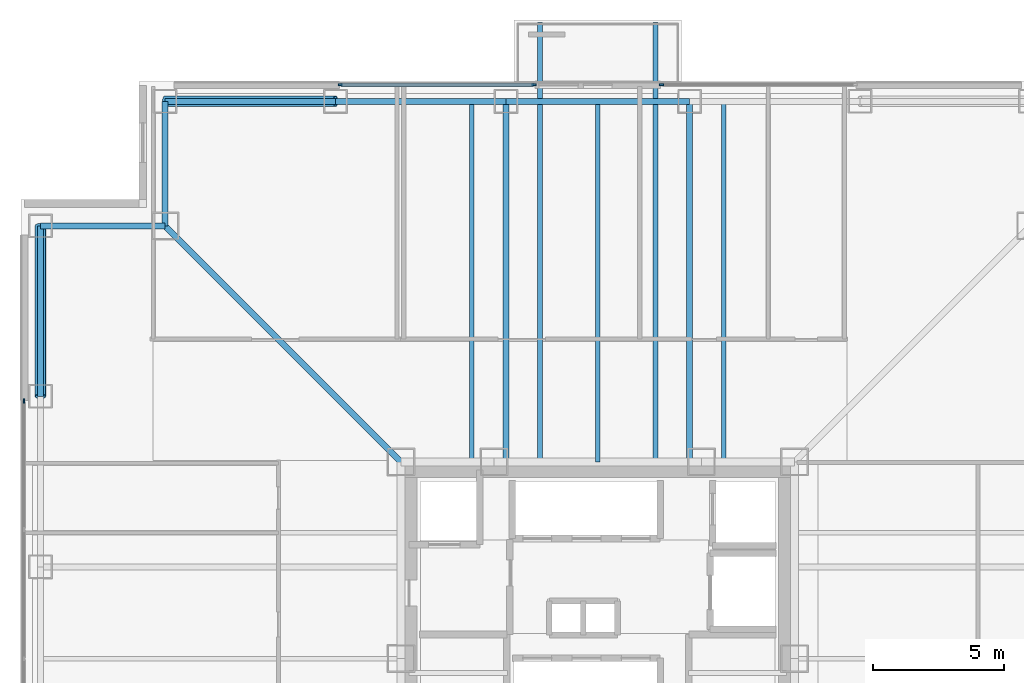
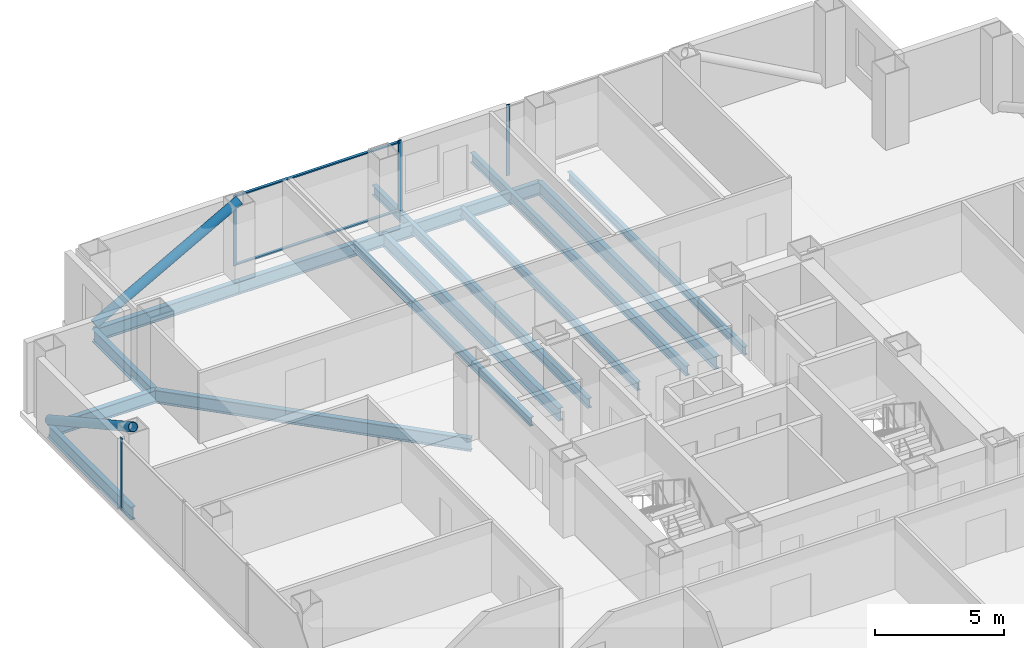
# One storey, part 7 of 14: 14 beams, 8 members, 3 elements without a shape of their own.
"""IFC4 building model written with IfcOpenShell, lengths in metres."""

import ifcopenshell
import ifcopenshell.guid

model = None  # the IFC model being written
_history = None  # IfcOwnerHistory: only IFC2X3 demands one
_inside = {}  # id of a spatial element -> (the spatial element, [elements in it])
_under = {}  # id of a project, library or spatial element -> (it, [spatial elements below it])
_declared = {}  # id of a project -> (the project, [libraries it declares])
_typed = {}  # id of a type object -> (the type object, [elements of that type])
_made_of = {}  # id of a material, layer set ... -> (it, [elements and type objects made of it])


def new_model(schema):
    """Start an empty IFC model of exactly this schema.

    Asked for "IFC4X3", IfcOpenShell would pick the latest addendum, in which some entities
    have other attributes; the version numbers below select the first issue.
    IFC2X3 requires an IfcOwnerHistory on every rooted entity: one is made here for all.
    """
    global model, _history
    if schema == "IFC4X3":
        model = ifcopenshell.file(schema_version=(4, 3, 0, 0))
    else:
        model = ifcopenshell.file(schema=schema)
    _inside.clear()
    _under.clear()
    _declared.clear()
    _typed.clear()
    _made_of.clear()
    _history = None
    if model.schema == "IFC2X3":
        org = make("IfcOrganization", Name="unknown")
        user = make(
            "IfcPersonAndOrganization",
            ThePerson=make("IfcPerson", FamilyName="unknown"),
            TheOrganization=org,
        )
        app = make(
            "IfcApplication",
            ApplicationDeveloper=org,
            Version="unknown",
            ApplicationFullName="unknown",
            ApplicationIdentifier="unknown",
        )
        _history = make(
            "IfcOwnerHistory",
            OwningUser=user,
            OwningApplication=app,
            ChangeAction="ADDED",
            CreationDate=0,
        )
    return model


def make(cls, **values):
    """One entity of the class cls with the attributes given. An attribute that is None is left unset."""
    return model.create_entity(
        cls, **{name: value for name, value in values.items() if value is not None}
    )


def rooted(cls, **values):
    """An entity with a GlobalId (a new one), such as an element, a storey or a relation."""
    return make(cls, GlobalId=ifcopenshell.guid.new(), OwnerHistory=_history, **values)


def si_unit(unit_type, name, prefix=None):
    """IfcSIUnit, for example si_unit("LENGTHUNIT", "METRE", prefix="MILLI")."""
    return make("IfcSIUnit", UnitType=unit_type, Prefix=prefix, Name=name)


def assignment(units):
    """IfcUnitAssignment: the units of a project."""
    return None if units is None else make("IfcUnitAssignment", Units=units)


def point(xyz):
    """IfcCartesianPoint."""
    return None if xyz is None else make("IfcCartesianPoint", Coordinates=xyz)


def direction(xyz):
    """IfcDirection."""
    return None if xyz is None else make("IfcDirection", DirectionRatios=xyz)


def frame(location, z_axis=None, x_axis=None):
    """IfcAxis2Placement3D, a coordinate frame: its origin and axes. An axis left out is left unset."""
    return make(
        "IfcAxis2Placement3D",
        Location=point(location),
        Axis=direction(z_axis),
        RefDirection=direction(x_axis),
    )


def frame_2d(location, x_axis=None):
    """IfcAxis2Placement2D, a coordinate frame in the plane: its origin and x axis."""
    return make(
        "IfcAxis2Placement2D", Location=point(location), RefDirection=direction(x_axis)
    )


def origin():
    """The frame at (0, 0, 0) with its axes left unset."""
    return frame((0.0, 0.0, 0.0))


def origin_2d():
    """The frame at (0, 0) in the plane with its x axis left unset."""
    return frame_2d((0.0, 0.0))


def place(relative_to, where):
    """IfcLocalPlacement: puts the frame where relative to a parent placement (None: the world)."""
    return make(
        "IfcLocalPlacement", PlacementRelTo=relative_to, RelativePlacement=where
    )


def context(
    kind, dimensions, precision=None, world=None, true_north=None, identifier=None
):
    """IfcGeometricRepresentationContext, for example the 3D "Model" context."""
    return make(
        "IfcGeometricRepresentationContext",
        ContextIdentifier=identifier,
        ContextType=kind,
        CoordinateSpaceDimension=dimensions,
        Precision=precision,
        WorldCoordinateSystem=world,
        TrueNorth=true_north,
    )


def subcontext(parent, identifier, kind, view, scale=None):
    """IfcGeometricRepresentationSubContext, for example "Body" below "Model"."""
    return make(
        "IfcGeometricRepresentationSubContext",
        ContextIdentifier=identifier,
        ContextType=kind,
        ParentContext=parent,
        TargetScale=scale,
        TargetView=view,
    )


def project(units=None, contexts=None):
    """IfcProject with its units and contexts."""
    return rooted(
        "IfcProject",
        Name="project",
        RepresentationContexts=contexts,
        UnitsInContext=assignment(units),
    )


def spatial(cls, under=None, at=None, **own):
    """A site, building, storey or space (cls), placed at a placement, below another one or the project."""
    s = rooted(cls, ObjectPlacement=at, **own)
    if under is not None:
        _under.setdefault(under.id(), (under, []))[1].append(s)
    return s


def profile(cls, at=None, kind="AREA", **sizes):
    """A parametric profile (cls). Its sizes go by their IFC names, for example OverallWidth=200.0."""
    return make(cls, ProfileType=kind, Position=at, **sizes)


def rectangle(**sizes):
    """IfcRectangleProfileDef."""
    return profile("IfcRectangleProfileDef", **sizes)


def hollow_circle(**sizes):
    """IfcCircleHollowProfileDef."""
    return profile("IfcCircleHollowProfileDef", **sizes)


def i_section(**sizes):
    """IfcIShapeProfileDef."""
    return profile("IfcIShapeProfileDef", **sizes)


def extrude(swept, where, along, depth):
    """IfcExtrudedAreaSolid: the profile swept, set in the frame where, extruded along a direction by depth."""
    return make(
        "IfcExtrudedAreaSolid",
        SweptArea=swept,
        Position=where,
        ExtrudedDirection=direction(along),
        Depth=depth,
    )


def shape(context_of_items, identifier, shape_type, items):
    """IfcShapeRepresentation: the items that make up one representation, for example the "Body"."""
    return make(
        "IfcShapeRepresentation",
        ContextOfItems=context_of_items,
        RepresentationIdentifier=identifier,
        RepresentationType=shape_type,
        Items=items,
    )


def material(Name=None, Category=None):
    """IfcMaterial."""
    return make("IfcMaterial", Name=Name, Category=Category)


def layer(
    of_material, thickness, ventilated=None, Name=None, Category=None, Priority=None
):
    """IfcMaterialLayer: one layer of a wall or slab, of a material (None: an air gap)."""
    return make(
        "IfcMaterialLayer",
        Material=of_material,
        LayerThickness=thickness,
        IsVentilated=ventilated,
        Name=Name,
        Category=Category,
        Priority=Priority,
    )


def layer_set(layers, Name=None):
    """IfcMaterialLayerSet."""
    return make("IfcMaterialLayerSet", MaterialLayers=layers, LayerSetName=Name)


def material_profile(
    of_material, cross_section, Name=None, Category=None, Priority=None
):
    """IfcMaterialProfile: a cross section and its material."""
    return make(
        "IfcMaterialProfile",
        Name=Name,
        Material=of_material,
        Profile=cross_section,
        Priority=Priority,
        Category=Category,
    )


def profile_set(profiles, Name=None, composite=None):
    """IfcMaterialProfileSet."""
    return make(
        "IfcMaterialProfileSet",
        Name=Name,
        MaterialProfiles=profiles,
        CompositeProfile=composite,
    )


def made_of(thing, what):
    """Note that an element or type object is made of a material, layer set ...; save() writes the relation."""
    if what is not None:
        _made_of.setdefault(what.id(), (what, []))[1].append(thing)
    return thing


def type_object(cls, material=None, **own):
    """A type object (cls), such as IfcWallType, which elements share."""
    return made_of(rooted(cls, **own), material)


def element(
    cls,
    number,
    at=None,
    inside=None,
    cuts=None,
    type_object=None,
    material=None,
    context=None,
    identifier="Body",
    shape_type=None,
    held_by="IfcProductDefinitionShape",
    body=None,
    shapes=None,
    **own,
):
    """One element of the class cls, such as IfcWall. Its Tag is "e" and its number.

    at: its placement. inside: the storey or other place that contains it. cuts: it is an
    opening in that element (IfcRelVoidsElement). A single representation is given by context,
    identifier, shape_type and body (its items); several are given by shapes. held_by: the class
    of the entity that holds the representations. save() writes the other relations.
    """
    e = rooted(cls, Tag="e%d" % number, ObjectPlacement=at, **own)
    if body is not None:
        shapes = [shape(context, identifier, shape_type, body)]
    if shapes is not None:
        e.Representation = make(held_by, Representations=shapes)
    if inside is not None:
        _inside.setdefault(inside.id(), (inside, []))[1].append(e)
    if cuts is not None:
        rooted(
            "IfcRelVoidsElement", RelatingBuildingElement=cuts, RelatedOpeningElement=e
        )
    if type_object is not None:
        _typed.setdefault(type_object.id(), (type_object, []))[1].append(e)
    return made_of(e, material)


def aggregate(whole, parts):
    """IfcRelAggregates: a whole, such as a stair, and the parts it consists of."""
    return rooted("IfcRelAggregates", RelatingObject=whole, RelatedObjects=parts)


def save(model, path):
    """Write the relations noted so far, then the file.

    IfcRelAggregates (storeys below a building ...), IfcRelContainedInSpatialStructure (elements
    in a storey), IfcRelDefinesByType, IfcRelAssociatesMaterial and IfcRelDeclares: one each for
    every whole, place, type object, material and project.
    """
    for whole, parts in _under.values():
        aggregate(whole, parts)
    for where, things in _inside.values():
        rooted(
            "IfcRelContainedInSpatialStructure",
            RelatedElements=things,
            RelatingStructure=where,
        )
    for kind, things in _typed.values():
        rooted("IfcRelDefinesByType", RelatedObjects=things, RelatingType=kind)
    for what, things in _made_of.values():
        rooted("IfcRelAssociatesMaterial", RelatedObjects=things, RelatingMaterial=what)
    for by, libraries in _declared.values():
        rooted("IfcRelDeclares", RelatingContext=by, RelatedDefinitions=libraries)
    model.write(path)


model = new_model("IFC4")

# Units and contexts
model_context = context("Model", 3, precision=1e-05, world=origin(), true_north=direction((0.0, 1.0)))
body_context = subcontext(model_context, "Body", "Model", "MODEL_VIEW")
ifc_project = project(units=[si_unit("LENGTHUNIT", "METRE"), si_unit("AREAUNIT", "SQUARE_METRE"), si_unit("VOLUMEUNIT", "CUBIC_METRE"), si_unit("PLANEANGLEUNIT", "RADIAN"), si_unit("MASSUNIT", "GRAM", prefix="KILO")], contexts=[model_context])

# Site, building, storey
site_placement = place(None, origin())
site = spatial("IfcSite", under=ifc_project, at=site_placement, CompositionType="ELEMENT")
building_placement = place(site_placement, origin())
building = spatial("IfcBuilding", under=site, at=building_placement, Name="Trevonay Congress Spire", CompositionType="ELEMENT")
storey_placement = place(building_placement, frame((0.0, 0.0, 133.60009765625)))
storey = spatial("IfcBuildingStorey", under=building, at=storey_placement, Name="L34", CompositionType="ELEMENT", Elevation=133.60009765625)

# Beams
ifc_material_1 = material(Name="Steel ASTM A572 Grade 50", Category="steel")
ifc_material_profile_1 = material_profile(ifc_material_1, i_section(OverallWidth=0.194091796875, OverallDepth=0.468994140625, WebThickness=0.011474609375, FlangeThickness=0.01953125, FilletRadius=0.013916015625, at=origin_2d()), Name="W460x106")
ifc_profile_set_1 = profile_set([ifc_material_profile_1], Name="Steel ASTM A572 Grade 50")
beam_type_1 = type_object("IfcBeamType", Name="BM-BAL-LOOKOUT", PredefinedType="BEAM", material=ifc_profile_set_1)
for number, where, z_axis, x_axis, name in (
    (1, (-2.199951171875, 7.5, -0.474609375), (0.0, 1.0, 0.0), (-1.0, 0.0, 0.0), "L34 structural beam LKT-L34-N1"),
    (2, (2.199951171875, 7.5, -0.474609375), (0.0, 1.0, 0.0), (-1.0, 0.0, 0.0), "L34 structural beam LKT-L34-N2"),
):
    element("IfcBeam", number, at=place(storey_placement, frame(where, z_axis=z_axis, x_axis=x_axis)), inside=storey, type_object=beam_type_1, Name=name, PredefinedType="BEAM", context=body_context, shape_type="SweptSolid", body=[
        extrude(i_section(OverallWidth=0.194091796875, OverallDepth=0.468994140625, WebThickness=0.011474609375, FlangeThickness=0.01953125, FilletRadius=0.013916015625, at=origin_2d()), origin(), (0.0, 0.0, 1.0), 16.75),
    ])
ifc_material_profile_2 = material_profile(ifc_material_1, i_section(OverallWidth=0.22998046875, OverallDepth=0.616943359375, WebThickness=0.01318359375, FlangeThickness=0.022216796875, FilletRadius=0.01611328125, at=origin_2d()), Name="W610x140")
ifc_profile_set_2 = profile_set([ifc_material_profile_2], Name="Steel ASTM A572 Grade 50")
beam_type_2 = type_object("IfcBeamType", Name="BM-GIRD-W610X140", PredefinedType="BEAM", material=ifc_profile_set_2)
beam_1_placement = place(storey_placement, frame((-7.5, 7.5, -0.548583984375), z_axis=(-0.707106781187, 0.707106781187, 0.0), x_axis=(-0.707106781187, -0.707106781187, 0.0)))
element("IfcBeam", 3, at=beam_1_placement, inside=storey, type_object=beam_type_2, Name="L34 structural beam BM-L34-CDNW", PredefinedType="BEAM", context=body_context, shape_type="SweptSolid", body=[
    extrude(i_section(OverallWidth=0.22998046875, OverallDepth=0.616943359375, WebThickness=0.01318359375, FlangeThickness=0.022216796875, FilletRadius=0.01611328125, at=origin_2d()), origin(), (0.0, 0.0, 1.0), 12.72802734375),
])
for number, where, z_axis, x_axis, name in (
    (4, (-3.5, 7.5, -0.548583984375), (0.0, 1.0, 0.0), (-1.0, 0.0, 0.0), "L34 structural beam BM-L34-GN-M"),
    (5, (3.5, 7.5, -0.548583984375), (0.0, 1.0, 0.0), (-1.0, 0.0, 0.0), "L34 structural beam BM-L34-GN-P"),
):
    element("IfcBeam", number, at=place(storey_placement, frame(where, z_axis=z_axis, x_axis=x_axis)), inside=storey, type_object=beam_type_2, Name=name, PredefinedType="BEAM", context=body_context, shape_type="SweptSolid", body=[
        extrude(i_section(OverallWidth=0.22998046875, OverallDepth=0.616943359375, WebThickness=0.01318359375, FlangeThickness=0.022216796875, FilletRadius=0.01611328125, at=origin_2d()), origin(), (0.0, 0.0, 1.0), 13.75),
    ])
ifc_material_profile_3 = material_profile(ifc_material_1, i_section(OverallWidth=0.22802734375, OverallDepth=0.60791015625, WebThickness=0.01123046875, FlangeThickness=0.017333984375, FilletRadius=0.01611328125, at=origin_2d()), Name="W610x113")
ifc_profile_set_3 = profile_set([ifc_material_profile_3], Name="Steel ASTM A572 Grade 50")
beam_type_3 = type_object("IfcBeamType", Name="BM-RING-W610X113", PredefinedType="BEAM", material=ifc_profile_set_3)
for number, where, z_axis, x_axis, name in (
    (6, (-16.5, 21.25, -0.544189453125), (1.0, 0.0, 0.0), (0.0, 1.0, 0.0), "L34 structural beam BM-L34-PN1"),
    (7, (-10.0, 21.25, -0.544189453125), (1.0, 0.0, 0.0), (0.0, 1.0, 0.0), "L34 structural beam BM-L34-PN2"),
):
    element("IfcBeam", number, at=place(storey_placement, frame(where, z_axis=z_axis, x_axis=x_axis)), inside=storey, type_object=beam_type_3, Name=name, PredefinedType="BEAM", context=body_context, shape_type="SweptSolid", body=[
        extrude(i_section(OverallWidth=0.22802734375, OverallDepth=0.60791015625, WebThickness=0.01123046875, FlangeThickness=0.017333984375, FilletRadius=0.01611328125, at=origin_2d()), origin(), (0.0, 0.0, 1.0), 6.5),
    ])
beam_2_placement = place(storey_placement, frame((-3.5, 21.25, -0.544189453125), z_axis=(1.0, 0.0, 0.0), x_axis=(0.0, 1.0, 0.0)))
element("IfcBeam", 8, at=beam_2_placement, inside=storey, type_object=beam_type_3, Name="L34 structural beam BM-L34-PN3", PredefinedType="BEAM", context=body_context, shape_type="SweptSolid", body=[
    extrude(i_section(OverallWidth=0.22802734375, OverallDepth=0.60791015625, WebThickness=0.01123046875, FlangeThickness=0.017333984375, FilletRadius=0.01611328125, at=origin_2d()), origin(), (0.0, 0.0, 1.0), 7.0),
])
beam_3_placement = place(storey_placement, frame((-21.25, 10.0, -0.544189453125), z_axis=(0.0, 1.0, 0.0), x_axis=(-1.0, 0.0, 0.0)))
element("IfcBeam", 9, at=beam_3_placement, inside=storey, type_object=beam_type_3, Name="L34 structural beam BM-L34-PW5", PredefinedType="BEAM", context=body_context, shape_type="SweptSolid", body=[
    extrude(i_section(OverallWidth=0.22802734375, OverallDepth=0.60791015625, WebThickness=0.01123046875, FlangeThickness=0.017333984375, FilletRadius=0.01611328125, at=origin_2d()), origin(), (0.0, 0.0, 1.0), 6.5),
])
for number, where, z_axis, x_axis, name in (
    (10, (-16.5, 21.25, -0.544189453125), (0.0, -1.0, 0.0), (1.0, 0.0, 0.0), "L34 structural beam BM-L34-N1NW"),
    (11, (-21.25, 16.5, -0.544189453125), (1.0, 0.0, 0.0), (0.0, 1.0, 0.0), "L34 structural beam BM-L34-N2NW"),
):
    element("IfcBeam", number, at=place(storey_placement, frame(where, z_axis=z_axis, x_axis=x_axis)), inside=storey, type_object=beam_type_3, Name=name, PredefinedType="BEAM", context=body_context, shape_type="SweptSolid", body=[
        extrude(i_section(OverallWidth=0.22802734375, OverallDepth=0.60791015625, WebThickness=0.01123046875, FlangeThickness=0.017333984375, FilletRadius=0.01611328125, at=origin_2d()), origin(), (0.0, 0.0, 1.0), 4.75),
    ])

# Curtain wall, members
ifc_material_2 = material(Name="Pale Anodised Aluminium EN AW-6063-T6", Category="aluminium")
ifc_layer = layer(ifc_material_2, 0.175048828125, Name="Pale Anodised Aluminium EN AW-6063-T6")
ifc_layer_set = layer_set([ifc_layer], Name="Pale Anodised Aluminium EN AW-6063-T6")
curtain_wall_type = type_object("IfcCurtainWallType", Name="CW-SYS03-CONGRESS-PALE-METAL", PredefinedType="NOTDEFINED", material=ifc_layer_set)
curtain_wall_1_placement = place(storey_placement, origin())
curtain_wall_1 = element("IfcCurtainWall", 12, at=curtain_wall_1_placement, inside=storey, type_object=curtain_wall_type, Name="L34 NA unitised curtain wall", PredefinedType="NOTDEFINED")
ifc_material_profile_4 = material_profile(ifc_material_2, rectangle(XDim=0.06005859375, YDim=0.159912109375, at=origin_2d()), Name="CW-MULLION-160-ALUMINIUM")
ifc_profile_set_4 = profile_set([ifc_material_profile_4], Name="Pale Anodised Aluminium EN AW-6063-T6")
member_type_1 = type_object("IfcMemberType", Name="CW-MULLION-160-ALUMINIUM", PredefinedType="MULLION", material=ifc_profile_set_4)
member_1_placement = place(storey_placement, frame((-9.820068359375, 21.8798828125, 0.0), z_axis=(0.0, 0.0, 1.0), x_axis=(0.0, 1.0, 0.0)))
member_1 = element("IfcMember", 13, at=member_1_placement, type_object=member_type_1, Name="CW03 mullion 1", PredefinedType="MULLION", context=body_context, shape_type="SweptSolid", body=[
    extrude(rectangle(XDim=0.06005859375, YDim=0.159912109375, at=origin_2d()), origin(), (0.0, 0.0, 1.0), 3.35986328125),
])
member_2_placement = place(storey_placement, frame((-2.429931640625, 21.8798828125, 0.0), z_axis=(0.0, 0.0, 1.0), x_axis=(0.0, 1.0, 0.0)))
member_2 = element("IfcMember", 14, at=member_2_placement, type_object=member_type_1, Name="CW03 mullion 2", PredefinedType="MULLION", context=body_context, shape_type="SweptSolid", body=[
    extrude(rectangle(XDim=0.06005859375, YDim=0.159912109375, at=origin_2d()), origin(), (0.0, 0.0, 1.0), 3.35986328125),
])

# Curtain wall, member
curtain_wall_2_placement = place(storey_placement, origin())
curtain_wall_2 = element("IfcCurtainWall", 15, at=curtain_wall_2_placement, inside=storey, type_object=curtain_wall_type, Name="L34 NB unitised curtain wall", PredefinedType="NOTDEFINED")
member_3_placement = place(storey_placement, frame((2.429931640625, 21.8798828125, 0.0), z_axis=(0.0, 0.0, 1.0), x_axis=(0.0, 1.0, 0.0)))
member_3 = element("IfcMember", 16, at=member_3_placement, type_object=member_type_1, Name="CW03 mullion 1", PredefinedType="MULLION", context=body_context, shape_type="SweptSolid", body=[
    extrude(rectangle(XDim=0.06005859375, YDim=0.159912109375, at=origin_2d()), origin(), (0.0, 0.0, 1.0), 3.35986328125),
])
aggregate(curtain_wall_2, [member_3])

curtain_wall_3_placement = place(storey_placement, origin())
curtain_wall_3 = element("IfcCurtainWall", 17, at=curtain_wall_3_placement, inside=storey, type_object=curtain_wall_type, Name="L34 W unitised curtain wall", PredefinedType="NOTDEFINED")
member_4_placement = place(storey_placement, frame((-21.8798828125, 9.820068359375, 0.0), z_axis=(0.0, 0.0, 1.0), x_axis=(-1.0, 0.0, 0.0)))
member_4 = element("IfcMember", 18, at=member_4_placement, type_object=member_type_1, Name="CW03 mullion 5", PredefinedType="MULLION", context=body_context, shape_type="SweptSolid", body=[
    extrude(rectangle(XDim=0.06005859375, YDim=0.159912109375, at=origin_2d()), origin(), (0.0, 0.0, 1.0), 3.35986328125),
])
aggregate(curtain_wall_3, [member_4])

# Member
ifc_material_profile_5 = material_profile(ifc_material_2, rectangle(XDim=0.1201171875, YDim=0.06005859375, at=origin_2d()), Name="CW-TRANSOM-120-ALUMINIUM")
ifc_profile_set_5 = profile_set([ifc_material_profile_5], Name="Pale Anodised Aluminium EN AW-6063-T6")
member_type_2 = type_object("IfcMemberType", Name="CW-TRANSOM-120-ALUMINIUM", PredefinedType="USERDEFINED", material=ifc_profile_set_5)
member_5_placement = place(storey_placement, frame((-9.7900390625, 21.8798828125, 0.059814453125), z_axis=(1.0, 0.0, 0.0), x_axis=(0.0, 1.0, 0.0)))
member_5 = element("IfcMember", 19, at=member_5_placement, type_object=member_type_2, Name="CW03 transom 1.1", ObjectType="TRANSOM", PredefinedType="USERDEFINED", context=body_context, shape_type="SweptSolid", body=[
    extrude(rectangle(XDim=0.1201171875, YDim=0.06005859375, at=origin_2d()), origin(), (0.0, 0.0, 1.0), 7.330078125),
])

member_6_placement = place(storey_placement, frame((-9.7900390625, 21.8798828125, 3.2998046875), z_axis=(1.0, 0.0, 0.0), x_axis=(0.0, 1.0, 0.0)))
member_6 = element("IfcMember", 20, at=member_6_placement, type_object=member_type_2, Name="CW03 transom 1.2", ObjectType="TRANSOM", PredefinedType="USERDEFINED", context=body_context, shape_type="SweptSolid", body=[
    extrude(rectangle(XDim=0.1201171875, YDim=0.06005859375, at=origin_2d()), origin(), (0.0, 0.0, 1.0), 7.330078125),
])

aggregate(curtain_wall_1, [member_1, member_2, member_5, member_6])

# Beams
ifc_material_profile_6 = material_profile(ifc_material_1, i_section(OverallWidth=0.177978515625, OverallDepth=0.406982421875, WebThickness=0.0078125, FlangeThickness=0.0126953125, FilletRadius=0.012939453125, at=origin_2d()), Name="W410x60")
ifc_profile_set_6 = profile_set([ifc_material_profile_6], Name="Steel ASTM A572 Grade 50")
beam_type_4 = type_object("IfcBeamType", Name="JS-COMP-W410X60", PredefinedType="JOIST", material=ifc_profile_set_6)
for number, where, z_axis, x_axis, name in (
    (21, (-4.800048828125, 7.5, -0.443603515625), (0.0, 1.0, 0.0), (-1.0, 0.0, 0.0), "L34 structural beam JS-L34-NS-N1"),
    (22, (0.0, 7.5, -0.443603515625), (0.0, 1.0, 0.0), (-1.0, 0.0, 0.0), "L34 structural beam JS-L34-NS-N2"),
    (23, (4.800048828125, 7.5, -0.443603515625), (0.0, 1.0, 0.0), (-1.0, 0.0, 0.0), "L34 structural beam JS-L34-NS-N3"),
):
    element("IfcBeam", number, at=place(storey_placement, frame(where, z_axis=z_axis, x_axis=x_axis)), inside=storey, type_object=beam_type_4, Name=name, PredefinedType="JOIST", context=body_context, shape_type="SweptSolid", body=[
        extrude(i_section(OverallWidth=0.177978515625, OverallDepth=0.406982421875, WebThickness=0.0078125, FlangeThickness=0.0126953125, FilletRadius=0.012939453125, at=origin_2d()), origin(), (0.0, 0.0, 1.0), 13.75),
    ])

# Members
ifc_material_3 = material(Name="Steel ASTM A500 Grade C", Category="steel")
ifc_material_profile_7 = material_profile(ifc_material_3, hollow_circle(Radius=0.203125, WallThickness=0.02001953125, at=origin_2d()), Name="CHS 406.4x20")
ifc_profile_set_7 = profile_set([ifc_material_profile_7], Name="Steel ASTM A500 Grade C")
member_type_3 = type_object("IfcMemberType", Name="MBR-TUBE-CHS406", PredefinedType="BRACE", material=ifc_profile_set_7)
for number, where, z_axis, x_axis, name in (
    (24, (-16.5, 21.25, -0.050048828125), (0.874799711691, 0.0, 0.484484741169), (0.0, 1.0, 0.0), "L34 perimeter braced-tube diagonal N0"),
    (25, (-21.25, 16.5, -0.050048828125), (0.0, -0.874799711691, 0.484484741169), (1.0, 0.0, 0.0), "L34 perimeter braced-tube diagonal W4"),
):
    element("IfcMember", number, at=place(storey_placement, frame(where, z_axis=z_axis, x_axis=x_axis)), inside=storey, type_object=member_type_3, Name=name, PredefinedType="BRACE", context=body_context, shape_type="SweptSolid", body=[
        extrude(hollow_circle(Radius=0.203125, WallThickness=0.02001953125, at=origin_2d()), origin(), (0.0, 0.0, 1.0), 7.43017578125),
    ])

save(model, "model.ifc")
